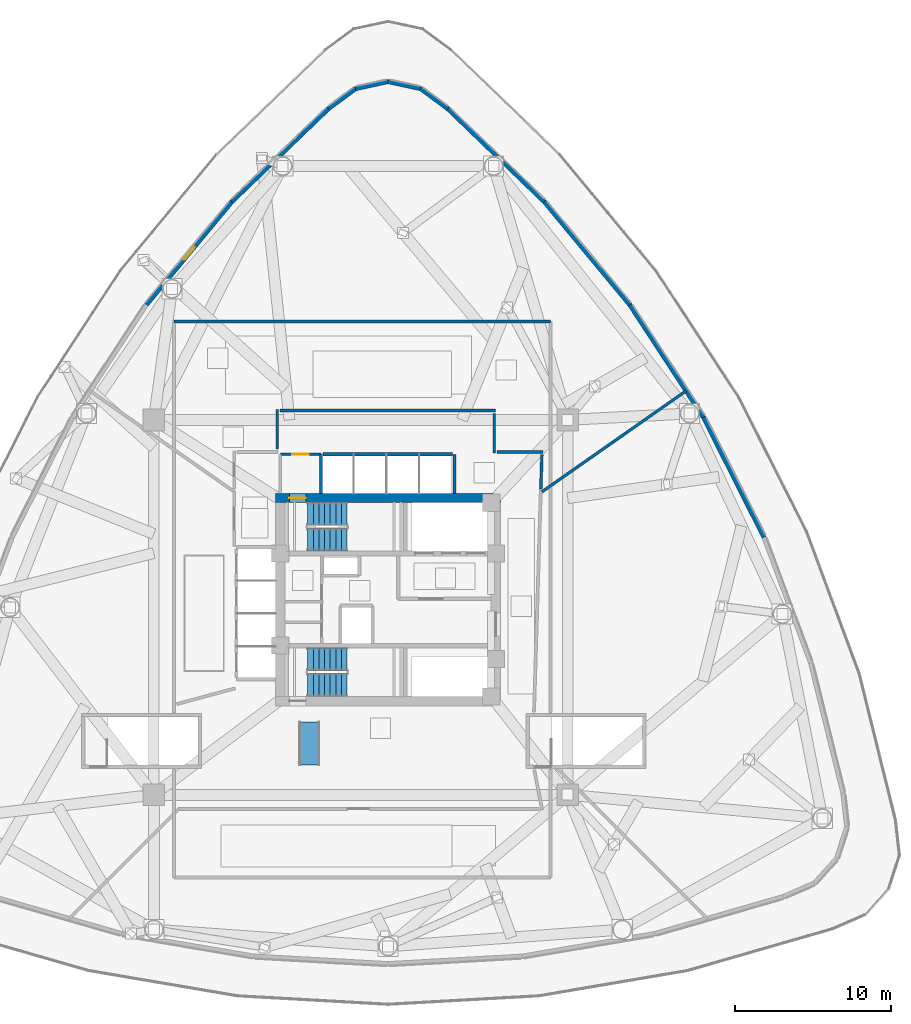
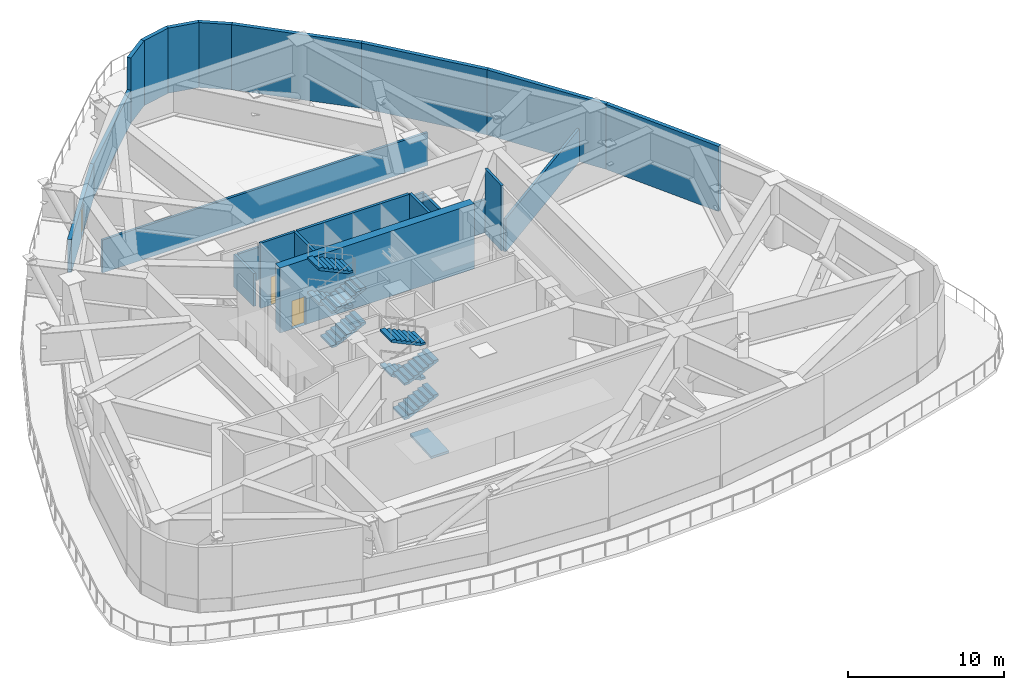
# One storey, part 5 of 9: 22 walls, 8 stair flights, 3 doors, 1 ramp flight, 3 openings, 3 elements without a shape of their own.
"""IFC4 building model written with IfcOpenShell, lengths in metres."""

from ifc_helpers import new_model, si_unit, direction, frame, frame_2d, origin, place, context, subcontext, project, spatial, polyline, rectangle, outline, extrude, material, layer, layer_set, type_object, element, fill, aggregate, save


model = new_model("IFC4")

# Units and contexts
model_context = context("Model", 3, precision=1e-05, world=origin(), true_north=direction((0.0, 1.0)))
body_context = subcontext(model_context, "Body", "Model", "MODEL_VIEW")
ifc_project = project(units=[si_unit("LENGTHUNIT", "METRE"), si_unit("AREAUNIT", "SQUARE_METRE"), si_unit("VOLUMEUNIT", "CUBIC_METRE"), si_unit("PLANEANGLEUNIT", "RADIAN"), si_unit("MASSUNIT", "GRAM", prefix="KILO")], contexts=[model_context])

# Site, building, storey
site_placement = place(None, origin())
site = spatial("IfcSite", under=ifc_project, at=site_placement, CompositionType="ELEMENT")
building_placement = place(site_placement, origin())
building = spatial("IfcBuilding", under=site, at=building_placement, Name="Tavelor Broadcast Tower", CompositionType="ELEMENT")
storey_placement = place(building_placement, frame((0.0, 0.0, 22.199951171875)))
storey = spatial("IfcBuildingStorey", under=building, at=storey_placement, Name="L04", CompositionType="ELEMENT", Elevation=22.199951171875)

# Wall, opening, door
ifc_material_1 = material(Name="Concrete C60/75", Category="concrete")
ifc_layer_1 = layer(ifc_material_1, 0.60009765625)
ifc_layer_set_1 = layer_set([ifc_layer_1], Name="Concrete C60/75")
wall_type_1 = type_object("IfcWallType", Name="Core Shear Wall 600 mm", PredefinedType="SHEAR", material=ifc_layer_set_1)
wall_1_placement = place(storey_placement, frame((42.800048828125, 51.5, 0.0), z_axis=(0.0, 0.0, 1.0), x_axis=(1.0, 0.0, 0.0)))
wall_1 = element("IfcWall", 1, at=wall_1_placement, inside=storey, type_object=wall_type_1, Name="L04 Central Core Shear Wall N", PredefinedType="SHEAR", context=body_context, shape_type="SweptSolid", body=[
    extrude(rectangle(XDim=14.39990234375, YDim=0.60009765625, at=frame_2d((7.199951171875, 0.0))), origin(), (0.0, 0.0, 1.0), 5.10009765625),
])
opening_1_placement = place(wall_1_placement, frame((0.8798828125, 0.0, 0.0)))
opening_1 = element("IfcOpeningElement", 2, at=opening_1_placement, cuts=wall_1, Name="Opening DR11", PredefinedType="OPENING", context=body_context, shape_type="SweptSolid", body=[
    extrude(rectangle(XDim=1.050048828125, YDim=2.199951171875, at=frame_2d((0.52490234375, 1.10009765625))), frame((0.0, 0.31005859375, 0.0), z_axis=(0.0, -1.0, 0.0), x_axis=(1.0, 0.0, 0.0)), (0.0, 0.0, 1.0), 0.6201171875),
])
ifc_material_2 = material(Name="Steel S355", Category="steel")
door_type_1 = type_object("IfcDoorType", Name="Stair Core Fire Escape Door 1050x2200", OperationType="NOTDEFINED", PredefinedType="DOOR", material=ifc_material_2)
door_1_placement = place(opening_1_placement, origin())
door_1 = element("IfcDoor", 3, at=door_1_placement, inside=storey, type_object=door_type_1, Name="L04 Stair ST1 Protected Exit Door", OperationType="SINGLE_SWING_LEFT", OverallHeight=2.199951171875, OverallWidth=1.050048828125, PredefinedType="DOOR", context=body_context, shape_type="SweptSolid", body=[
    extrude(rectangle(XDim=1.050048828125, YDim=2.199951171875, at=frame_2d((0.52490234375, 1.10009765625))), frame((0.0, 0.02490234375, 0.0), z_axis=(0.0, -1.0, 0.0), x_axis=(1.0, 0.0, 0.0)), (0.0, 0.0, 1.0), 0.050048828125),
])
fill(opening_1, door_1)

# Wall
ifc_material_3 = material(Name="Calcium Silicate Fire Board 180 mm", Category="gypsum")
ifc_layer_2 = layer(ifc_material_3, 0.179931640625)
ifc_layer_set_2 = layer_set([ifc_layer_2], Name="Calcium Silicate Fire Board 180 mm")
wall_type_2 = type_object("IfcWallType", Name="Fire-Rated Corridor Partition Wall 180 mm", PredefinedType="PARTITIONING", material=ifc_layer_set_2)
wall_2_placement = place(storey_placement, frame((36.300048828125, 62.800048828125, 0.0), z_axis=(0.0, 0.0, 1.0), x_axis=(1.0, 0.0, 0.0)))
element("IfcWall", 4, at=wall_2_placement, inside=storey, type_object=wall_type_2, Name="L04 Inner Plant Enclosure North Wall", PredefinedType="PARTITIONING", context=body_context, shape_type="SweptSolid", body=[
    extrude(rectangle(XDim=24.099853515625, YDim=0.179931640625, at=frame_2d((12.0498046875, 0.0))), origin(), (0.0, 0.0, 1.0), 2.574951171875),
])

# Wall, opening, door
wall_3_placement = place(storey_placement, frame((43.10009765625, 54.300048828125, 0.0), z_axis=(0.0, 0.0, 1.0), x_axis=(1.0, 0.0, 0.0)))
wall_3 = element("IfcWall", 5, at=wall_3_placement, inside=storey, type_object=wall_type_2, Name="L04 Stair ST1 Lobby North Wall", PredefinedType="PARTITIONING", context=body_context, shape_type="SweptSolid", body=[
    extrude(rectangle(XDim=2.619873046875, YDim=0.179931640625, at=frame_2d((1.31005859375, 0.0))), origin(), (0.0, 0.0, 1.0), 5.10009765625),
])
opening_2_placement = place(wall_3_placement, frame((0.780029296875, 0.0, 0.0)))
opening_2 = element("IfcOpeningElement", 6, at=opening_2_placement, cuts=wall_3, Name="Opening DR11", PredefinedType="OPENING", context=body_context, shape_type="SweptSolid", body=[
    extrude(rectangle(XDim=1.050048828125, YDim=2.199951171875, at=frame_2d((0.52490234375, 1.10009765625))), frame((0.0, 0.10009765625, 0.0), z_axis=(0.0, -1.0, 0.0), x_axis=(1.0, 0.0, 0.0)), (0.0, 0.0, 1.0), 0.199951171875),
])
door_2_placement = place(opening_2_placement, origin())
door_2 = element("IfcDoor", 7, at=door_2_placement, inside=storey, type_object=door_type_1, Name="L04 Stair ST1 Lobby Corridor Door", OperationType="SINGLE_SWING_LEFT", OverallHeight=2.199951171875, OverallWidth=1.050048828125, PredefinedType="DOOR", context=body_context, shape_type="SweptSolid", body=[
    extrude(rectangle(XDim=1.050048828125, YDim=2.199951171875, at=frame_2d((0.52490234375, 1.10009765625))), frame((0.0, 0.02490234375, 0.0), z_axis=(0.0, -1.0, 0.0), x_axis=(1.0, 0.0, 0.0)), (0.0, 0.0, 1.0), 0.050048828125),
])
fill(opening_2, door_2)

# Walls
wall_4_placement = place(storey_placement, frame((59.85009765625, 51.89697265625, 0.0), z_axis=(0.0, 0.0, 1.0), x_axis=(0.819143359288, 0.573588839619, 0.0)))
element("IfcWall", 8, at=wall_4_placement, inside=storey, type_object=wall_type_2, Name="L04 Plant Quadrant Fire Wall", PredefinedType="PARTITIONING", context=body_context, shape_type="SweptSolid", body=[
    extrude(rectangle(XDim=11.268798828125, YDim=0.179931640625, at=frame_2d((5.63427734375, 0.0))), origin(), (0.0, 0.0, 1.0), 2.574951171875),
])
wall_5_placement = place(storey_placement, frame((42.89990234375, 54.6298828125, 0.0), z_axis=(0.0, 0.0, 1.0), x_axis=(0.0, 1.0, 0.0)))
element("IfcWall", 9, at=wall_5_placement, inside=storey, type_object=wall_type_2, Name="L04 Plant Corridor Fire Wall", PredefinedType="PARTITIONING", context=body_context, shape_type="SweptSolid", body=[
    extrude(rectangle(XDim=2.530029296875, YDim=0.179931640625, at=frame_2d((1.26513671875, 0.0))), origin(), (0.0, 0.0, 1.0), 2.574951171875),
])
wall_6_placement = place(storey_placement, frame((43.080078125, 57.10009765625, 0.0), z_axis=(0.0, 0.0, 1.0), x_axis=(1.0, 0.0, 0.0)))
element("IfcWall", 10, at=wall_6_placement, inside=storey, type_object=wall_type_2, Name="L04 Plant Corridor Fire Wall", PredefinedType="PARTITIONING", context=body_context, shape_type="SweptSolid", body=[
    extrude(rectangle(XDim=13.780029296875, YDim=0.179931640625, at=frame_2d((6.89013671875, 0.0))), origin(), (0.0, 0.0, 1.0), 2.574951171875),
])
wall_7_placement = place(storey_placement, frame((56.800048828125, 56.919921875, 0.0), z_axis=(0.0, 0.0, 1.0), x_axis=(0.0, -1.0, 0.0)))
element("IfcWall", 11, at=wall_7_placement, inside=storey, type_object=wall_type_2, Name="L04 Plant Corridor Fire Wall", PredefinedType="PARTITIONING", context=body_context, shape_type="SweptSolid", body=[
    extrude(rectangle(XDim=2.530029296875, YDim=0.179931640625, at=frame_2d((1.26513671875, 0.0))), origin(), (0.0, 0.0, 1.0), 2.574951171875),
])
wall_8_placement = place(storey_placement, frame((56.97998046875, 54.449951171875, 0.0), z_axis=(0.0, 0.0, 1.0), x_axis=(1.0, 0.0, 0.0)))
element("IfcWall", 12, at=wall_8_placement, inside=storey, type_object=wall_type_2, Name="L04 Plant Corridor Fire Wall", PredefinedType="PARTITIONING", context=body_context, shape_type="SweptSolid", body=[
    extrude(rectangle(XDim=2.929931640625, YDim=0.179931640625, at=frame_2d((1.46484375, 0.0))), origin(), (0.0, 0.0, 1.0), 2.574951171875),
])
wall_9_placement = place(storey_placement, frame((59.844482421875, 54.27001953125, 0.0), z_axis=(0.0, 0.0, 1.0), x_axis=(-0.030477021135, -0.999535467696, 0.0)))
element("IfcWall", 13, at=wall_9_placement, inside=storey, type_object=wall_type_2, Name="L04 Plant Corridor Fire Wall", PredefinedType="PARTITIONING", context=body_context, shape_type="SweptSolid", body=[
    extrude(rectangle(XDim=2.202880859375, YDim=0.179931640625, at=frame_2d((1.1015625, 0.0))), origin(), (0.0, 0.0, 1.0), 5.10009765625),
])
ifc_material_4 = material(Name="Precast Concrete C40/50", Category="concrete")
ifc_layer_3 = layer(ifc_material_4, 0.280029296875)
ifc_layer_set_3 = layer_set([ifc_layer_3], Name="Precast Concrete C40/50")
wall_type_3 = type_object("IfcWallType", Name="Insulated Precast Terracotta Facade Wall 280 mm", PredefinedType="STANDARD", material=ifc_layer_set_3)
wall_10_placement = place(storey_placement, frame((53.822021484375, 76.422607421875, 0.0), z_axis=(0.0, 0.0, 1.0), x_axis=(-0.804320439411, 0.59419578486, 0.0)))
element("IfcWall", 14, at=wall_10_placement, inside=storey, type_object=wall_type_3, Name="L04 Precast Terracotta Facade Wall 01", PredefinedType="STANDARD", context=body_context, shape_type="SweptSolid", body=[
    extrude(rectangle(XDim=2.1796875, YDim=0.280029296875, at=frame_2d((1.08984375, 0.0))), origin(), (0.0, 0.0, 1.0), 5.10009765625),
])
for number, where, z_axis, x_axis, name in (
    (15, (52.095703125, 77.70556640625, 0.0), (0.0, 0.0, 1.0), (-0.977600042684, 0.210471272494, 0.0), "L04 Precast Terracotta Facade Wall 02"),
    (16, (50.0146484375, 78.159912109375, 0.0), (0.0, 0.0, 1.0), (-0.977600042684, -0.210471272494, 0.0), "L04 Precast Terracotta Facade Wall 03"),
):
    element("IfcWall", number, at=place(storey_placement, frame(where, z_axis=z_axis, x_axis=x_axis)), inside=storey, type_object=wall_type_3, Name=name, PredefinedType="STANDARD", context=body_context, shape_type="SweptSolid", body=[
        extrude(rectangle(XDim=2.15869140625, YDim=0.280029296875, at=frame_2d((1.079345703125, 0.0))), origin(), (0.0, 0.0, 1.0), 5.10009765625),
    ])
wall_11_placement = place(storey_placement, frame((47.93115234375, 77.7177734375, 0.0), z_axis=(0.0, 0.0, 1.0), x_axis=(-0.804320439411, -0.59419578486, 0.0)))
element("IfcWall", 17, at=wall_11_placement, inside=storey, type_object=wall_type_3, Name="L04 Precast Terracotta Facade Wall 04", PredefinedType="STANDARD", context=body_context, shape_type="SweptSolid", body=[
    extrude(rectangle(XDim=2.1796875, YDim=0.280029296875, at=frame_2d((1.08984375, 0.0))), origin(), (0.0, 0.0, 1.0), 5.10009765625),
])
wall_12_placement = place(storey_placement, frame((46.20068359375, 76.44189453125, 0.0), z_axis=(0.0, 0.0, 1.0), x_axis=(-0.720313927372, -0.6936482149, 0.0)))
element("IfcWall", 18, at=wall_12_placement, inside=storey, type_object=wall_type_3, Name="L04 Precast Terracotta Facade Wall 05", PredefinedType="STANDARD", context=body_context, shape_type="SweptSolid", body=[
    extrude(rectangle(XDim=8.62451171875, YDim=0.280029296875, at=frame_2d((4.312255859375, 0.0))), origin(), (0.0, 0.0, 1.0), 2.574951171875),
])

# Wall, opening, door
wall_13_placement = place(storey_placement, frame((40.008544921875, 70.4814453125, 0.0), z_axis=(0.0, 0.0, 1.0), x_axis=(-0.638080193948, -0.769969912458, 0.0)))
wall_13 = element("IfcWall", 19, at=wall_13_placement, inside=storey, type_object=wall_type_3, Name="L04 Precast Terracotta Facade Wall 06", PredefinedType="STANDARD", context=body_context, shape_type="SweptSolid", body=[
    extrude(rectangle(XDim=8.626220703125, YDim=0.280029296875, at=frame_2d((4.31298828125, 0.0))), origin(), (0.0, 0.0, 1.0), 2.574951171875),
])
opening_3_placement = place(wall_13_placement, frame((3.7880859375, 0.0, 0.0)))
opening_3 = element("IfcOpeningElement", 20, at=opening_3_placement, cuts=wall_13, Name="Opening DR52", PredefinedType="OPENING", context=body_context, shape_type="SweptSolid", body=[
    extrude(rectangle(XDim=1.050048828125, YDim=2.199951171875, at=frame_2d((0.52490234375, 1.10009765625))), frame((0.0, 0.14990234375, 0.0), z_axis=(0.0, -1.0, 0.0), x_axis=(1.0, 0.0, 0.0)), (0.0, 0.0, 1.0), 0.300048828125),
])
ifc_material_5 = material(Name="Architectural Anodized Aluminium", Category="aluminium")
door_type_2 = type_object("IfcDoorType", Name="Terrace Garden Glazed Access Door 1050x2200", OperationType="NOTDEFINED", PredefinedType="DOOR", material=ifc_material_5)
door_3_placement = place(opening_3_placement, origin())
door_3 = element("IfcDoor", 21, at=door_3_placement, inside=storey, type_object=door_type_2, Name="L04 Terrace 1 Glazed Access Door", OperationType="SINGLE_SWING_LEFT", OverallHeight=2.199951171875, OverallWidth=1.050048828125, PredefinedType="DOOR", context=body_context, shape_type="SweptSolid", body=[
    extrude(rectangle(XDim=1.050048828125, YDim=2.199951171875, at=frame_2d((0.52490234375, 1.10009765625))), frame((0.0, 0.02490234375, 0.0), z_axis=(0.0, -1.0, 0.0), x_axis=(1.0, 0.0, 0.0)), (0.0, 0.0, 1.0), 0.050048828125),
])
fill(opening_3, door_3)

# Walls
wall_14_placement = place(storey_placement, frame((74.0751953125, 48.97216796875, 0.0), z_axis=(0.0, 0.0, 1.0), x_axis=(-0.450629246348, 0.892711197608, 0.0)))
element("IfcWall", 22, at=wall_14_placement, inside=storey, type_object=wall_type_3, Name="L04 Precast Terracotta Facade Wall 27", PredefinedType="STANDARD", context=body_context, shape_type="SweptSolid", body=[
    extrude(rectangle(XDim=8.626220703125, YDim=0.280029296875, at=frame_2d((4.31298828125, 0.0))), origin(), (0.0, 0.0, 1.0), 5.10009765625),
])
wall_15_placement = place(storey_placement, frame((70.202880859375, 56.64697265625, 0.0), z_axis=(0.0, 0.0, 1.0), x_axis=(-0.547783818818, 0.836619918386, 0.0)))
element("IfcWall", 23, at=wall_15_placement, inside=storey, type_object=wall_type_3, Name="L04 Precast Terracotta Facade Wall 28", PredefinedType="STANDARD", context=body_context, shape_type="SweptSolid", body=[
    extrude(rectangle(XDim=8.625732421875, YDim=0.280029296875, at=frame_2d((4.31298828125, 0.0))), origin(), (0.0, 0.0, 1.0), 5.10009765625),
])
wall_16_placement = place(storey_placement, frame((65.49560546875, 63.839599609375, 0.0), z_axis=(0.0, 0.0, 1.0), x_axis=(-0.638080193948, 0.769969912458, 0.0)))
element("IfcWall", 24, at=wall_16_placement, inside=storey, type_object=wall_type_3, Name="L04 Precast Terracotta Facade Wall 29", PredefinedType="STANDARD", context=body_context, shape_type="SweptSolid", body=[
    extrude(rectangle(XDim=8.626220703125, YDim=0.280029296875, at=frame_2d((4.31298828125, 0.0))), origin(), (0.0, 0.0, 1.0), 5.10009765625),
])
wall_17_placement = place(storey_placement, frame((60.01171875, 70.45947265625, 0.0), z_axis=(0.0, 0.0, 1.0), x_axis=(-0.720313927372, 0.6936482149, 0.0)))
element("IfcWall", 25, at=wall_17_placement, inside=storey, type_object=wall_type_3, Name="L04 Precast Terracotta Facade Wall 30", PredefinedType="STANDARD", context=body_context, shape_type="SweptSolid", body=[
    extrude(rectangle(XDim=8.62451171875, YDim=0.280029296875, at=frame_2d((4.312255859375, 0.0))), origin(), (0.0, 0.0, 1.0), 5.10009765625),
])
ifc_material_6 = material(Name="Concrete Blockwork 200 mm", Category="masonry")
ifc_layer_4 = layer(ifc_material_6, 0.199951171875)
ifc_layer_set_4 = layer_set([ifc_layer_4], Name="Concrete Blockwork 200 mm")
wall_type_4 = type_object("IfcWallType", Name="Lift Hoistway Rated Front Wall 200 mm", PredefinedType="PARTITIONING", material=ifc_layer_set_4)
wall_18_placement = place(storey_placement, frame((45.820068359375, 54.300048828125, 0.0), z_axis=(0.0, 0.0, 1.0), x_axis=(1.0, 0.0, 0.0)))
element("IfcWall", 26, at=wall_18_placement, inside=storey, type_object=wall_type_4, Name="L04 High-Rise Lift Hoistway Front Wall", PredefinedType="PARTITIONING", context=body_context, shape_type="SweptSolid", body=[
    extrude(rectangle(XDim=8.309814453125, YDim=0.199951171875, at=frame_2d((4.15478515625, 0.0))), origin(), (0.0, 0.0, 1.0), 5.10009765625),
])
ifc_layer_5 = layer(ifc_material_6, 0.199951171875)
ifc_layer_set_5 = layer_set([ifc_layer_5], Name="Concrete Blockwork 200 mm")
wall_type_5 = type_object("IfcWallType", Name="Lift and Riser Shaft Enclosure Wall 200 mm", PredefinedType="PARTITIONING", material=ifc_layer_set_5)
for number, where, z_axis, x_axis, name in (
    (27, (45.699951171875, 51.800048828125, 0.0), (0.0, 0.0, 1.0), (0.0, 1.0, 0.0), "L04 High-Rise Lift Shaft West Wall"),
    (28, (54.25, 51.800048828125, 0.0), (0.0, 0.0, 1.0), (0.0, 1.0, 0.0), "L04 High-Rise Lift Shaft East Wall"),
):
    element("IfcWall", number, at=place(storey_placement, frame(where, z_axis=z_axis, x_axis=x_axis)), inside=storey, type_object=wall_type_5, Name=name, PredefinedType="PARTITIONING", context=body_context, shape_type="SweptSolid", body=[
        extrude(rectangle(XDim=2.5, YDim=0.199951171875, at=frame_2d((1.25, 0.0))), origin(), (0.0, 0.0, 1.0), 5.10009765625),
    ])

# Stair, stair flights
ifc_material_7 = material(Name="Concrete C40/50", Category="concrete")
stair_type = type_object("IfcStairType", Name="Reinforced Concrete Protected Dogleg Stair 1450 mm", PredefinedType="HALF_TURN_STAIR", material=ifc_material_7)
stair_1_placement = place(storey_placement, origin())
stair_1 = element("IfcStair", 29, at=stair_1_placement, inside=storey, type_object=stair_type, Name="L04 Protected Core Exit Stair ST1", PredefinedType="HALF_TURN_STAIR")
stair_flight_type = type_object("IfcStairFlightType", Name="Reinforced Concrete Stair Flight 1450 mm", PredefinedType="STRAIGHT", material=ifc_material_7)
stair_flight_1_placement = place(storey_placement, frame((44.85009765625, 48.824951171875, 0.0), z_axis=(0.0, 0.0, 1.0), x_axis=(1.0, 0.0, 0.0)))
stair_flight_1 = element("IfcStairFlight", 30, at=stair_flight_1_placement, type_object=stair_flight_type, Name="ST1 flight 1", NumberOfRisers=8, NumberOfTreads=7, PredefinedType="STRAIGHT", RiserHeight=0.16875, TreadLength=0.36, context=body_context, shape_type="SweptSolid", body=[
    extrude(outline(polyline([(0.0, 0.0), (0.0, 0.168701171875), (0.360107421875, 0.168701171875), (0.360107421875, 0.33740234375), (0.719970703125, 0.33740234375), (0.719970703125, 0.50634765625), (1.080078125, 0.50634765625), (1.080078125, 0.675048828125), (1.43994140625, 0.675048828125), (1.43994140625, 0.84375), (1.800048828125, 0.84375), (1.800048828125, 1.012451171875), (2.159912109375, 1.012451171875), (2.159912109375, 1.18115234375), (2.52001953125, 1.18115234375), (2.52001953125, 1.35009765625), (2.52001953125, 1.015625), (0.353271484375, 0.0), (0.0, 0.0)])), frame((0.0, 0.72509765625, 0.0), z_axis=(0.0, -1.0, 0.0), x_axis=(1.0, 0.0, 0.0)), (0.0, 0.0, 1.0), 1.449951171875),
])
stair_flight_2_placement = place(storey_placement, frame((47.3701171875, 50.47509765625, 1.35009765625), z_axis=(0.0, 0.0, 1.0), x_axis=(-1.0, 0.0, 0.0)))
stair_flight_2 = element("IfcStairFlight", 31, at=stair_flight_2_placement, type_object=stair_flight_type, Name="ST1 flight 2", NumberOfRisers=8, NumberOfTreads=7, PredefinedType="STRAIGHT", RiserHeight=0.16875, TreadLength=0.36, context=body_context, shape_type="SweptSolid", body=[
    extrude(outline(polyline([(0.0, 0.0), (0.0, 0.168701171875), (0.360107421875, 0.168701171875), (0.360107421875, 0.33740234375), (0.719970703125, 0.33740234375), (0.719970703125, 0.50634765625), (1.080078125, 0.50634765625), (1.080078125, 0.675048828125), (1.43994140625, 0.675048828125), (1.43994140625, 0.84375), (1.800048828125, 0.84375), (1.800048828125, 1.012451171875), (2.159912109375, 1.012451171875), (2.159912109375, 1.18115234375), (2.52001953125, 1.18115234375), (2.52001953125, 1.35009765625), (2.52001953125, 1.015625), (0.353271484375, 0.0), (0.0, 0.0)])), frame((0.0, 0.72509765625, 0.0), z_axis=(0.0, -1.0, 0.0), x_axis=(1.0, 0.0, 0.0)), (0.0, 0.0, 1.0), 1.449951171875),
])
stair_flight_3_placement = place(storey_placement, frame((44.85009765625, 48.824951171875, 2.699951171875), z_axis=(0.0, 0.0, 1.0), x_axis=(1.0, 0.0, 0.0)))
stair_flight_3 = element("IfcStairFlight", 32, at=stair_flight_3_placement, type_object=stair_flight_type, Name="ST1 flight 3", NumberOfRisers=8, NumberOfTreads=7, PredefinedType="STRAIGHT", RiserHeight=0.16875, TreadLength=0.36, context=body_context, shape_type="SweptSolid", body=[
    extrude(outline(polyline([(0.0, 0.0), (0.0, 0.168701171875), (0.360107421875, 0.168701171875), (0.360107421875, 0.33740234375), (0.719970703125, 0.33740234375), (0.719970703125, 0.50634765625), (1.080078125, 0.50634765625), (1.080078125, 0.675048828125), (1.43994140625, 0.675048828125), (1.43994140625, 0.84375), (1.800048828125, 0.84375), (1.800048828125, 1.012451171875), (2.159912109375, 1.012451171875), (2.159912109375, 1.18115234375), (2.52001953125, 1.18115234375), (2.52001953125, 1.35009765625), (2.52001953125, 1.015625), (0.353271484375, 0.0), (0.0, 0.0)])), frame((0.0, 0.72509765625, 0.0), z_axis=(0.0, -1.0, 0.0), x_axis=(1.0, 0.0, 0.0)), (0.0, 0.0, 1.0), 1.449951171875),
])
stair_flight_4_placement = place(storey_placement, frame((47.3701171875, 50.47509765625, 4.050048828125), z_axis=(0.0, 0.0, 1.0), x_axis=(-1.0, 0.0, 0.0)))
stair_flight_4 = element("IfcStairFlight", 33, at=stair_flight_4_placement, type_object=stair_flight_type, Name="ST1 flight 4", NumberOfRisers=8, NumberOfTreads=7, PredefinedType="STRAIGHT", RiserHeight=0.16875, TreadLength=0.36, context=body_context, shape_type="SweptSolid", body=[
    extrude(outline(polyline([(0.0, 0.0), (0.0, 0.168701171875), (0.360107421875, 0.168701171875), (0.360107421875, 0.33740234375), (0.719970703125, 0.33740234375), (0.719970703125, 0.50634765625), (1.080078125, 0.50634765625), (1.080078125, 0.675048828125), (1.43994140625, 0.675048828125), (1.43994140625, 0.84375), (1.800048828125, 0.84375), (1.800048828125, 1.012451171875), (2.159912109375, 1.012451171875), (2.159912109375, 1.18115234375), (2.52001953125, 1.18115234375), (2.52001953125, 1.35009765625), (2.52001953125, 1.015625), (0.353271484375, 0.0), (0.0, 0.0)])), frame((0.0, 0.72509765625, 0.0), z_axis=(0.0, -1.0, 0.0), x_axis=(1.0, 0.0, 0.0)), (0.0, 0.0, 1.0), 1.449951171875),
])
aggregate(stair_1, [stair_flight_1, stair_flight_2, stair_flight_3, stair_flight_4])

stair_2_placement = place(storey_placement, origin())
stair_2 = element("IfcStair", 34, at=stair_2_placement, inside=storey, type_object=stair_type, Name="L04 Protected Core Exit Stair ST2", PredefinedType="HALF_TURN_STAIR")
stair_flight_5_placement = place(storey_placement, frame((44.85009765625, 39.52490234375, 0.0), z_axis=(0.0, 0.0, 1.0), x_axis=(1.0, 0.0, 0.0)))
stair_flight_5 = element("IfcStairFlight", 35, at=stair_flight_5_placement, type_object=stair_flight_type, Name="ST2 flight 1", NumberOfRisers=8, NumberOfTreads=7, PredefinedType="STRAIGHT", RiserHeight=0.16875, TreadLength=0.36, context=body_context, shape_type="SweptSolid", body=[
    extrude(outline(polyline([(0.0, 0.0), (0.0, 0.168701171875), (0.360107421875, 0.168701171875), (0.360107421875, 0.33740234375), (0.719970703125, 0.33740234375), (0.719970703125, 0.50634765625), (1.080078125, 0.50634765625), (1.080078125, 0.675048828125), (1.43994140625, 0.675048828125), (1.43994140625, 0.84375), (1.800048828125, 0.84375), (1.800048828125, 1.012451171875), (2.159912109375, 1.012451171875), (2.159912109375, 1.18115234375), (2.52001953125, 1.18115234375), (2.52001953125, 1.35009765625), (2.52001953125, 1.015625), (0.353271484375, 0.0), (0.0, 0.0)])), frame((0.0, 0.72509765625, 0.0), z_axis=(0.0, -1.0, 0.0), x_axis=(1.0, 0.0, 0.0)), (0.0, 0.0, 1.0), 1.449951171875),
])
stair_flight_6_placement = place(storey_placement, frame((47.3701171875, 41.175048828125, 1.35009765625), z_axis=(0.0, 0.0, 1.0), x_axis=(-1.0, 0.0, 0.0)))
stair_flight_6 = element("IfcStairFlight", 36, at=stair_flight_6_placement, type_object=stair_flight_type, Name="ST2 flight 2", NumberOfRisers=8, NumberOfTreads=7, PredefinedType="STRAIGHT", RiserHeight=0.16875, TreadLength=0.36, context=body_context, shape_type="SweptSolid", body=[
    extrude(outline(polyline([(0.0, 0.0), (0.0, 0.168701171875), (0.360107421875, 0.168701171875), (0.360107421875, 0.33740234375), (0.719970703125, 0.33740234375), (0.719970703125, 0.50634765625), (1.080078125, 0.50634765625), (1.080078125, 0.675048828125), (1.43994140625, 0.675048828125), (1.43994140625, 0.84375), (1.800048828125, 0.84375), (1.800048828125, 1.012451171875), (2.159912109375, 1.012451171875), (2.159912109375, 1.18115234375), (2.52001953125, 1.18115234375), (2.52001953125, 1.35009765625), (2.52001953125, 1.015625), (0.353271484375, 0.0), (0.0, 0.0)])), frame((0.0, 0.72509765625, 0.0), z_axis=(0.0, -1.0, 0.0), x_axis=(1.0, 0.0, 0.0)), (0.0, 0.0, 1.0), 1.449951171875),
])
stair_flight_7_placement = place(storey_placement, frame((44.85009765625, 39.52490234375, 2.699951171875), z_axis=(0.0, 0.0, 1.0), x_axis=(1.0, 0.0, 0.0)))
stair_flight_7 = element("IfcStairFlight", 37, at=stair_flight_7_placement, type_object=stair_flight_type, Name="ST2 flight 3", NumberOfRisers=8, NumberOfTreads=7, PredefinedType="STRAIGHT", RiserHeight=0.16875, TreadLength=0.36, context=body_context, shape_type="SweptSolid", body=[
    extrude(outline(polyline([(0.0, 0.0), (0.0, 0.168701171875), (0.360107421875, 0.168701171875), (0.360107421875, 0.33740234375), (0.719970703125, 0.33740234375), (0.719970703125, 0.50634765625), (1.080078125, 0.50634765625), (1.080078125, 0.675048828125), (1.43994140625, 0.675048828125), (1.43994140625, 0.84375), (1.800048828125, 0.84375), (1.800048828125, 1.012451171875), (2.159912109375, 1.012451171875), (2.159912109375, 1.18115234375), (2.52001953125, 1.18115234375), (2.52001953125, 1.35009765625), (2.52001953125, 1.015625), (0.353271484375, 0.0), (0.0, 0.0)])), frame((0.0, 0.72509765625, 0.0), z_axis=(0.0, -1.0, 0.0), x_axis=(1.0, 0.0, 0.0)), (0.0, 0.0, 1.0), 1.449951171875),
])
stair_flight_8_placement = place(storey_placement, frame((47.3701171875, 41.175048828125, 4.050048828125), z_axis=(0.0, 0.0, 1.0), x_axis=(-1.0, 0.0, 0.0)))
stair_flight_8 = element("IfcStairFlight", 38, at=stair_flight_8_placement, type_object=stair_flight_type, Name="ST2 flight 4", NumberOfRisers=8, NumberOfTreads=7, PredefinedType="STRAIGHT", RiserHeight=0.16875, TreadLength=0.36, context=body_context, shape_type="SweptSolid", body=[
    extrude(outline(polyline([(0.0, 0.0), (0.0, 0.168701171875), (0.360107421875, 0.168701171875), (0.360107421875, 0.33740234375), (0.719970703125, 0.33740234375), (0.719970703125, 0.50634765625), (1.080078125, 0.50634765625), (1.080078125, 0.675048828125), (1.43994140625, 0.675048828125), (1.43994140625, 0.84375), (1.800048828125, 0.84375), (1.800048828125, 1.012451171875), (2.159912109375, 1.012451171875), (2.159912109375, 1.18115234375), (2.52001953125, 1.18115234375), (2.52001953125, 1.35009765625), (2.52001953125, 1.015625), (0.353271484375, 0.0), (0.0, 0.0)])), frame((0.0, 0.72509765625, 0.0), z_axis=(0.0, -1.0, 0.0), x_axis=(1.0, 0.0, 0.0)), (0.0, 0.0, 1.0), 1.449951171875),
])
aggregate(stair_2, [stair_flight_5, stair_flight_6, stair_flight_7, stair_flight_8])

# Ramp, ramp flight
ramp_type = type_object("IfcRampType", Name="Accessible Step-Free Studio Threshold Ramp 1600 mm", PredefinedType="STRAIGHT_RUN_RAMP", material=ifc_material_7)
ramp_placement = place(storey_placement, origin())
ramp = element("IfcRamp", 39, at=ramp_placement, inside=storey, type_object=ramp_type, Name="L04 Accessible Pedestrian Concourse Ramp AR05", PredefinedType="STRAIGHT_RUN_RAMP")
ifc_layer_6 = layer(ifc_material_7, 0.179931640625)
ifc_layer_set_6 = layer_set([ifc_layer_6], Name="Concrete C40/50")
ramp_flight_type = type_object("IfcRampFlightType", Name="Accessible Studio Threshold Ramp Flight 180 mm", PredefinedType="STRAIGHT", material=ifc_layer_set_6)
ramp_flight_placement = place(storey_placement, frame((44.300048828125, 34.39990234375, 0.0), z_axis=(0.0, 0.0, 1.0), x_axis=(0.0, 1.0, 0.0)))
ramp_flight = element("IfcRampFlight", 40, at=ramp_flight_placement, type_object=ramp_flight_type, Name="L04 Accessible Pedestrian Ramp Flight AR05-F1", PredefinedType="STRAIGHT", context=body_context, shape_type="SweptSolid", body=[
    extrude(outline(polyline([(0.0, -0.179931640625), (2.75, -0.039794921875), (2.75, 0.14013671875), (0.0, 0.0), (0.0, -0.179931640625)])), frame((0.0, 0.0, 0.0), z_axis=(0.0, -1.0, 0.0), x_axis=(1.0, 0.0, 0.0)), (0.0, 0.0, 1.0), 1.320068359375),
])
aggregate(ramp, [ramp_flight])

save(model, "model.ifc")
